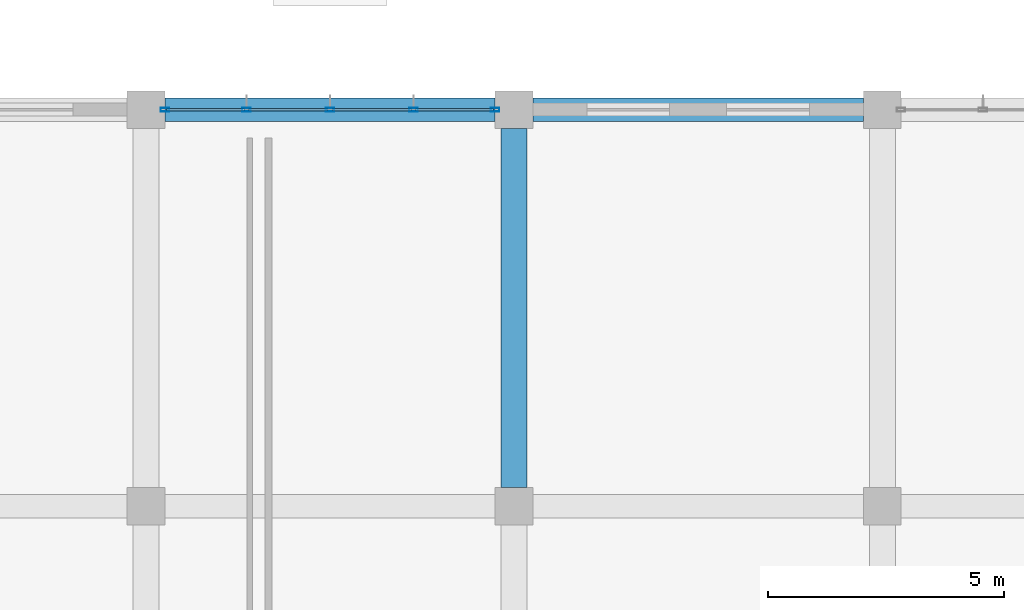
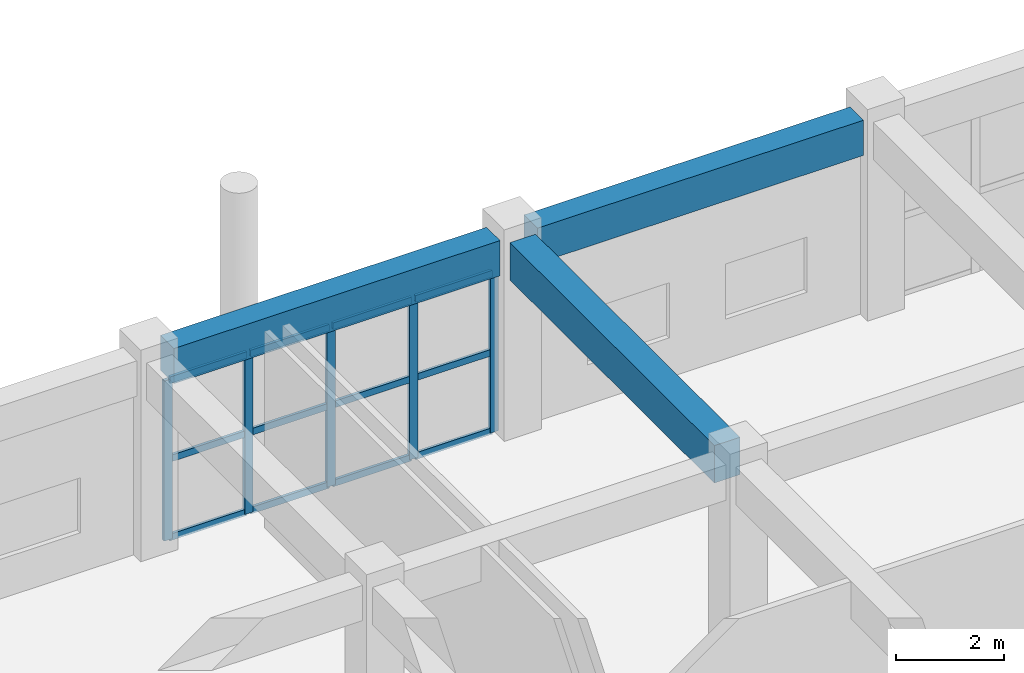
# One storey, part 96 of 139: 17 members, 3 beams, 1 element without a shape of its own.
"""IFC4 building model written with IfcOpenShell, lengths in metres."""

import ifcopenshell
import ifcopenshell.guid

model = None  # the IFC model being written
_history = None  # IfcOwnerHistory: only IFC2X3 demands one
_inside = {}  # id of a spatial element -> (the spatial element, [elements in it])
_under = {}  # id of a project, library or spatial element -> (it, [spatial elements below it])
_declared = {}  # id of a project -> (the project, [libraries it declares])
_typed = {}  # id of a type object -> (the type object, [elements of that type])
_made_of = {}  # id of a material, layer set ... -> (it, [elements and type objects made of it])


def new_model(schema):
    """Start an empty IFC model of exactly this schema.

    Asked for "IFC4X3", IfcOpenShell would pick the latest addendum, in which some entities
    have other attributes; the version numbers below select the first issue.
    IFC2X3 requires an IfcOwnerHistory on every rooted entity: one is made here for all.
    """
    global model, _history
    if schema == "IFC4X3":
        model = ifcopenshell.file(schema_version=(4, 3, 0, 0))
    else:
        model = ifcopenshell.file(schema=schema)
    _inside.clear()
    _under.clear()
    _declared.clear()
    _typed.clear()
    _made_of.clear()
    _history = None
    if model.schema == "IFC2X3":
        org = make("IfcOrganization", Name="unknown")
        user = make(
            "IfcPersonAndOrganization",
            ThePerson=make("IfcPerson", FamilyName="unknown"),
            TheOrganization=org,
        )
        app = make(
            "IfcApplication",
            ApplicationDeveloper=org,
            Version="unknown",
            ApplicationFullName="unknown",
            ApplicationIdentifier="unknown",
        )
        _history = make(
            "IfcOwnerHistory",
            OwningUser=user,
            OwningApplication=app,
            ChangeAction="ADDED",
            CreationDate=0,
        )
    return model


def make(cls, **values):
    """One entity of the class cls with the attributes given. An attribute that is None is left unset."""
    return model.create_entity(
        cls, **{name: value for name, value in values.items() if value is not None}
    )


def rooted(cls, **values):
    """An entity with a GlobalId (a new one), such as an element, a storey or a relation."""
    return make(cls, GlobalId=ifcopenshell.guid.new(), OwnerHistory=_history, **values)


def si_unit(unit_type, name, prefix=None):
    """IfcSIUnit, for example si_unit("LENGTHUNIT", "METRE", prefix="MILLI")."""
    return make("IfcSIUnit", UnitType=unit_type, Prefix=prefix, Name=name)


def assignment(units):
    """IfcUnitAssignment: the units of a project."""
    return None if units is None else make("IfcUnitAssignment", Units=units)


def point(xyz):
    """IfcCartesianPoint."""
    return None if xyz is None else make("IfcCartesianPoint", Coordinates=xyz)


def direction(xyz):
    """IfcDirection."""
    return None if xyz is None else make("IfcDirection", DirectionRatios=xyz)


def frame(location, z_axis=None, x_axis=None):
    """IfcAxis2Placement3D, a coordinate frame: its origin and axes. An axis left out is left unset."""
    return make(
        "IfcAxis2Placement3D",
        Location=point(location),
        Axis=direction(z_axis),
        RefDirection=direction(x_axis),
    )


def frame_2d(location, x_axis=None):
    """IfcAxis2Placement2D, a coordinate frame in the plane: its origin and x axis."""
    return make(
        "IfcAxis2Placement2D", Location=point(location), RefDirection=direction(x_axis)
    )


def origin():
    """The frame at (0, 0, 0) with its axes left unset."""
    return frame((0.0, 0.0, 0.0))


def origin_2d():
    """The frame at (0, 0) in the plane with its x axis left unset."""
    return frame_2d((0.0, 0.0))


def place(relative_to, where):
    """IfcLocalPlacement: puts the frame where relative to a parent placement (None: the world)."""
    return make(
        "IfcLocalPlacement", PlacementRelTo=relative_to, RelativePlacement=where
    )


def context(
    kind, dimensions, precision=None, world=None, true_north=None, identifier=None
):
    """IfcGeometricRepresentationContext, for example the 3D "Model" context."""
    return make(
        "IfcGeometricRepresentationContext",
        ContextIdentifier=identifier,
        ContextType=kind,
        CoordinateSpaceDimension=dimensions,
        Precision=precision,
        WorldCoordinateSystem=world,
        TrueNorth=true_north,
    )


def subcontext(parent, identifier, kind, view, scale=None):
    """IfcGeometricRepresentationSubContext, for example "Body" below "Model"."""
    return make(
        "IfcGeometricRepresentationSubContext",
        ContextIdentifier=identifier,
        ContextType=kind,
        ParentContext=parent,
        TargetScale=scale,
        TargetView=view,
    )


def project(units=None, contexts=None):
    """IfcProject with its units and contexts."""
    return rooted(
        "IfcProject",
        Name="project",
        RepresentationContexts=contexts,
        UnitsInContext=assignment(units),
    )


def spatial(cls, under=None, at=None, **own):
    """A site, building, storey or space (cls), placed at a placement, below another one or the project."""
    s = rooted(cls, ObjectPlacement=at, **own)
    if under is not None:
        _under.setdefault(under.id(), (under, []))[1].append(s)
    return s


def profile(cls, at=None, kind="AREA", **sizes):
    """A parametric profile (cls). Its sizes go by their IFC names, for example OverallWidth=200.0."""
    return make(cls, ProfileType=kind, Position=at, **sizes)


def rectangle(**sizes):
    """IfcRectangleProfileDef."""
    return profile("IfcRectangleProfileDef", **sizes)


def hollow_rectangle(**sizes):
    """IfcRectangleHollowProfileDef."""
    return profile("IfcRectangleHollowProfileDef", **sizes)


def extrude(swept, where, along, depth):
    """IfcExtrudedAreaSolid: the profile swept, set in the frame where, extruded along a direction by depth."""
    return make(
        "IfcExtrudedAreaSolid",
        SweptArea=swept,
        Position=where,
        ExtrudedDirection=direction(along),
        Depth=depth,
    )


def shape(context_of_items, identifier, shape_type, items):
    """IfcShapeRepresentation: the items that make up one representation, for example the "Body"."""
    return make(
        "IfcShapeRepresentation",
        ContextOfItems=context_of_items,
        RepresentationIdentifier=identifier,
        RepresentationType=shape_type,
        Items=items,
    )


def material(Name=None, Category=None):
    """IfcMaterial."""
    return make("IfcMaterial", Name=Name, Category=Category)


def layer(
    of_material, thickness, ventilated=None, Name=None, Category=None, Priority=None
):
    """IfcMaterialLayer: one layer of a wall or slab, of a material (None: an air gap)."""
    return make(
        "IfcMaterialLayer",
        Material=of_material,
        LayerThickness=thickness,
        IsVentilated=ventilated,
        Name=Name,
        Category=Category,
        Priority=Priority,
    )


def layer_set(layers, Name=None):
    """IfcMaterialLayerSet."""
    return make("IfcMaterialLayerSet", MaterialLayers=layers, LayerSetName=Name)


def material_profile(
    of_material, cross_section, Name=None, Category=None, Priority=None
):
    """IfcMaterialProfile: a cross section and its material."""
    return make(
        "IfcMaterialProfile",
        Name=Name,
        Material=of_material,
        Profile=cross_section,
        Priority=Priority,
        Category=Category,
    )


def profile_set(profiles, Name=None, composite=None):
    """IfcMaterialProfileSet."""
    return make(
        "IfcMaterialProfileSet",
        Name=Name,
        MaterialProfiles=profiles,
        CompositeProfile=composite,
    )


def made_of(thing, what):
    """Note that an element or type object is made of a material, layer set ...; save() writes the relation."""
    if what is not None:
        _made_of.setdefault(what.id(), (what, []))[1].append(thing)
    return thing


def type_object(cls, material=None, **own):
    """A type object (cls), such as IfcWallType, which elements share."""
    return made_of(rooted(cls, **own), material)


def element(
    cls,
    number,
    at=None,
    inside=None,
    cuts=None,
    type_object=None,
    material=None,
    context=None,
    identifier="Body",
    shape_type=None,
    held_by="IfcProductDefinitionShape",
    body=None,
    shapes=None,
    **own,
):
    """One element of the class cls, such as IfcWall. Its Tag is "e" and its number.

    at: its placement. inside: the storey or other place that contains it. cuts: it is an
    opening in that element (IfcRelVoidsElement). A single representation is given by context,
    identifier, shape_type and body (its items); several are given by shapes. held_by: the class
    of the entity that holds the representations. save() writes the other relations.
    """
    e = rooted(cls, Tag="e%d" % number, ObjectPlacement=at, **own)
    if body is not None:
        shapes = [shape(context, identifier, shape_type, body)]
    if shapes is not None:
        e.Representation = make(held_by, Representations=shapes)
    if inside is not None:
        _inside.setdefault(inside.id(), (inside, []))[1].append(e)
    if cuts is not None:
        rooted(
            "IfcRelVoidsElement", RelatingBuildingElement=cuts, RelatedOpeningElement=e
        )
    if type_object is not None:
        _typed.setdefault(type_object.id(), (type_object, []))[1].append(e)
    return made_of(e, material)


def aggregate(whole, parts):
    """IfcRelAggregates: a whole, such as a stair, and the parts it consists of."""
    return rooted("IfcRelAggregates", RelatingObject=whole, RelatedObjects=parts)


def save(model, path):
    """Write the relations noted so far, then the file.

    IfcRelAggregates (storeys below a building ...), IfcRelContainedInSpatialStructure (elements
    in a storey), IfcRelDefinesByType, IfcRelAssociatesMaterial and IfcRelDeclares: one each for
    every whole, place, type object, material and project.
    """
    for whole, parts in _under.values():
        aggregate(whole, parts)
    for where, things in _inside.values():
        rooted(
            "IfcRelContainedInSpatialStructure",
            RelatedElements=things,
            RelatingStructure=where,
        )
    for kind, things in _typed.values():
        rooted("IfcRelDefinesByType", RelatedObjects=things, RelatingType=kind)
    for what, things in _made_of.values():
        rooted("IfcRelAssociatesMaterial", RelatedObjects=things, RelatingMaterial=what)
    for by, libraries in _declared.values():
        rooted("IfcRelDeclares", RelatingContext=by, RelatedDefinitions=libraries)
    model.write(path)


model = new_model("IFC4")

# Units and contexts
model_context = context("Model", 3, precision=1e-05, world=origin(), true_north=direction((0.0, 1.0)))
body_context = subcontext(model_context, "Body", "Model", "MODEL_VIEW")
ifc_project = project(units=[si_unit("LENGTHUNIT", "METRE"), si_unit("AREAUNIT", "SQUARE_METRE"), si_unit("VOLUMEUNIT", "CUBIC_METRE"), si_unit("PLANEANGLEUNIT", "RADIAN"), si_unit("MASSUNIT", "GRAM", prefix="KILO")], contexts=[model_context])

# Site, building, storey
site_placement = place(None, origin())
site = spatial("IfcSite", under=ifc_project, at=site_placement, CompositionType="ELEMENT")
building_placement = place(site_placement, origin())
building = spatial("IfcBuilding", under=site, at=building_placement, Name="Zizhar Promenade General Hospital", CompositionType="ELEMENT")
storey_placement = place(building_placement, origin())
storey = spatial("IfcBuildingStorey", under=building, at=storey_placement, Name="L00", CompositionType="ELEMENT", Elevation=0.0)

# Beams
ifc_material_1 = material(Name="Concrete C35/45", Category="concrete")
ifc_material_profile_1 = material_profile(ifc_material_1, rectangle(XDim=0.5, YDim=0.800048828125, at=origin_2d()))
ifc_profile_set_1 = profile_set([ifc_material_profile_1], Name="Concrete C35/45")
beam_type_1 = type_object("IfcBeamType", Name="BM-RC-500x800", PredefinedType="BEAM", material=ifc_profile_set_1)
for number, where, z_axis, x_axis, name in (
    (1, (86.199951171875, 134.39990234375, 4.070068359375), (1.0, 0.0, 0.0), (0.0, 1.0, 0.0), "Grid Beam X L00 (11-16)"),
    (2, (94.0, 134.39990234375, 4.070068359375), (1.0, 0.0, 0.0), (0.0, 1.0, 0.0), "Grid Beam X L00 (12-16)"),
):
    element("IfcBeam", number, at=place(storey_placement, frame(where, z_axis=z_axis, x_axis=x_axis)), inside=storey, type_object=beam_type_1, Name=name, PredefinedType="BEAM", context=body_context, shape_type="SweptSolid", body=[
        extrude(rectangle(XDim=0.5, YDim=0.800048828125, at=origin_2d()), origin(), (0.0, 0.0, 1.0), 7.0),
    ])
ifc_material_2 = material(Name="Concrete C35/45", Category="concrete")
ifc_material_profile_2 = material_profile(ifc_material_2, rectangle(XDim=0.550048828125, YDim=0.85009765625, at=origin_2d()))
ifc_profile_set_2 = profile_set([ifc_material_profile_2], Name="Concrete C35/45")
beam_type_2 = type_object("IfcBeamType", Name="BM-RC-550x850", PredefinedType="BEAM", material=ifc_profile_set_2)
beam_placement = place(storey_placement, frame((93.60009765625, 126.39990234375, 4.044921875), z_axis=(0.0, 1.0, 0.0), x_axis=(-1.0, 0.0, 0.0)))
element("IfcBeam", 3, at=beam_placement, inside=storey, type_object=beam_type_2, Name="Grid Beam Y L00 (12-15)", PredefinedType="BEAM", context=body_context, shape_type="SweptSolid", body=[
    extrude(rectangle(XDim=0.550048828125, YDim=0.85009765625, at=origin_2d()), origin(), (0.0, 0.0, 1.0), 7.60009765625),
])

# Curtain wall, members
ifc_material_3 = material(Name="Anodised aluminium 6063-T6 and low-E glass", Category="aluminium")
ifc_layer = layer(ifc_material_3, 0.159912109375)
ifc_layer_set = layer_set([ifc_layer], Name="Anodised aluminium 6063-T6 and low-E glass")
curtain_wall_type = type_object("IfcCurtainWallType", Name="CW-DT-MOD2", PredefinedType="NOTDEFINED", material=ifc_layer_set)
curtain_wall_placement = place(storey_placement, origin())
curtain_wall = element("IfcCurtainWall", 4, at=curtain_wall_placement, inside=storey, type_object=curtain_wall_type, Name="Surgical North Glazed Curtain Wall L00-11", PredefinedType="NOTDEFINED")
ifc_material_4 = material(Name="Anodised aluminium 6063-T6", Category="aluminium")
ifc_material_profile_3 = material_profile(ifc_material_4, hollow_rectangle(XDim=0.080078125, YDim=0.179931640625, WallThickness=0.0048828125, at=origin_2d()))
ifc_profile_set_3 = profile_set([ifc_material_profile_3], Name="Anodised aluminium 6063-T6")
member_type_1 = type_object("IfcMemberType", Name="CWM-ALU-180x80", PredefinedType="MULLION", material=ifc_profile_set_3)
member_1_placement = place(storey_placement, frame((86.199951171875, 134.39990234375, 0.0), z_axis=(0.0, 0.0, 1.0), x_axis=(0.0, 1.0, 0.0)))
member_1 = element("IfcMember", 5, at=member_1_placement, type_object=member_type_1, Name="CW-08 mullion 1", PredefinedType="MULLION", context=body_context, shape_type="SweptSolid", body=[
    extrude(hollow_rectangle(XDim=0.080078125, YDim=0.179931640625, WallThickness=0.0048828125, at=origin_2d()), origin(), (0.0, 0.0, 1.0), 3.6298828125),
])
member_2_placement = place(storey_placement, frame((87.929931640625, 134.39990234375, 0.0), z_axis=(0.0, 0.0, 1.0), x_axis=(0.0, 1.0, 0.0)))
member_2 = element("IfcMember", 6, at=member_2_placement, type_object=member_type_1, Name="CW-08 mullion 2", PredefinedType="MULLION", context=body_context, shape_type="SweptSolid", body=[
    extrude(hollow_rectangle(XDim=0.080078125, YDim=0.179931640625, WallThickness=0.0048828125, at=origin_2d()), origin(), (0.0, 0.0, 1.0), 3.6298828125),
])
member_3_placement = place(storey_placement, frame((89.699951171875, 134.39990234375, 0.0), z_axis=(0.0, 0.0, 1.0), x_axis=(0.0, 1.0, 0.0)))
member_3 = element("IfcMember", 7, at=member_3_placement, type_object=member_type_1, Name="CW-08 mullion 3", PredefinedType="MULLION", context=body_context, shape_type="SweptSolid", body=[
    extrude(hollow_rectangle(XDim=0.080078125, YDim=0.179931640625, WallThickness=0.0048828125, at=origin_2d()), origin(), (0.0, 0.0, 1.0), 3.6298828125),
])
member_4_placement = place(storey_placement, frame((91.469970703125, 134.39990234375, 0.0), z_axis=(0.0, 0.0, 1.0), x_axis=(0.0, 1.0, 0.0)))
member_4 = element("IfcMember", 8, at=member_4_placement, type_object=member_type_1, Name="CW-08 mullion 4", PredefinedType="MULLION", context=body_context, shape_type="SweptSolid", body=[
    extrude(hollow_rectangle(XDim=0.080078125, YDim=0.179931640625, WallThickness=0.0048828125, at=origin_2d()), origin(), (0.0, 0.0, 1.0), 3.6298828125),
])
member_5_placement = place(storey_placement, frame((93.199951171875, 134.39990234375, 0.0), z_axis=(0.0, 0.0, 1.0), x_axis=(0.0, 1.0, 0.0)))
member_5 = element("IfcMember", 9, at=member_5_placement, type_object=member_type_1, Name="CW-08 mullion 5", PredefinedType="MULLION", context=body_context, shape_type="SweptSolid", body=[
    extrude(hollow_rectangle(XDim=0.080078125, YDim=0.179931640625, WallThickness=0.0048828125, at=origin_2d()), origin(), (0.0, 0.0, 1.0), 3.6298828125),
])
ifc_material_5 = material(Name="Anodised aluminium 6063-T6", Category="aluminium")
ifc_material_profile_4 = material_profile(ifc_material_5, hollow_rectangle(XDim=0.06005859375, YDim=0.14990234375, WallThickness=0.00390625, at=origin_2d()))
ifc_profile_set_4 = profile_set([ifc_material_profile_4], Name="Anodised aluminium 6063-T6")
member_type_2 = type_object("IfcMemberType", Name="CWT-ALU-150x60", PredefinedType="USERDEFINED", material=ifc_profile_set_4)
member_6_placement = place(storey_placement, frame((86.239990234375, 134.39990234375, 0.030029296875), z_axis=(1.0, 0.0, 0.0), x_axis=(0.0, 1.0, 0.0)))
member_6 = element("IfcMember", 10, at=member_6_placement, type_object=member_type_2, Name="CW-08 transom 1.1", ObjectType="TRANSOM", PredefinedType="USERDEFINED", context=body_context, shape_type="SweptSolid", body=[
    extrude(hollow_rectangle(XDim=0.06005859375, YDim=0.14990234375, WallThickness=0.00390625, at=origin_2d()), origin(), (0.0, 0.0, 1.0), 1.64990234375),
])
member_7_placement = place(storey_placement, frame((86.239990234375, 134.39990234375, 1.81494140625), z_axis=(1.0, 0.0, 0.0), x_axis=(0.0, 1.0, 0.0)))
member_7 = element("IfcMember", 11, at=member_7_placement, type_object=member_type_2, Name="CW-08 transom 1.2", ObjectType="TRANSOM", PredefinedType="USERDEFINED", context=body_context, shape_type="SweptSolid", body=[
    extrude(hollow_rectangle(XDim=0.06005859375, YDim=0.14990234375, WallThickness=0.00390625, at=origin_2d()), origin(), (0.0, 0.0, 1.0), 1.64990234375),
])
member_8_placement = place(storey_placement, frame((86.239990234375, 134.39990234375, 3.60009765625), z_axis=(1.0, 0.0, 0.0), x_axis=(0.0, 1.0, 0.0)))
member_8 = element("IfcMember", 12, at=member_8_placement, type_object=member_type_2, Name="CW-08 transom 1.3", ObjectType="TRANSOM", PredefinedType="USERDEFINED", context=body_context, shape_type="SweptSolid", body=[
    extrude(hollow_rectangle(XDim=0.06005859375, YDim=0.14990234375, WallThickness=0.00390625, at=origin_2d()), origin(), (0.0, 0.0, 1.0), 1.64990234375),
])
member_9_placement = place(storey_placement, frame((87.969970703125, 134.39990234375, 0.030029296875), z_axis=(1.0, 0.0, 0.0), x_axis=(0.0, 1.0, 0.0)))
member_9 = element("IfcMember", 13, at=member_9_placement, type_object=member_type_2, Name="CW-08 transom 2.1", ObjectType="TRANSOM", PredefinedType="USERDEFINED", context=body_context, shape_type="SweptSolid", body=[
    extrude(hollow_rectangle(XDim=0.06005859375, YDim=0.14990234375, WallThickness=0.00390625, at=origin_2d()), origin(), (0.0, 0.0, 1.0), 1.68994140625),
])
member_10_placement = place(storey_placement, frame((87.969970703125, 134.39990234375, 1.81494140625), z_axis=(1.0, 0.0, 0.0), x_axis=(0.0, 1.0, 0.0)))
member_10 = element("IfcMember", 14, at=member_10_placement, type_object=member_type_2, Name="CW-08 transom 2.2", ObjectType="TRANSOM", PredefinedType="USERDEFINED", context=body_context, shape_type="SweptSolid", body=[
    extrude(hollow_rectangle(XDim=0.06005859375, YDim=0.14990234375, WallThickness=0.00390625, at=origin_2d()), origin(), (0.0, 0.0, 1.0), 1.68994140625),
])
member_11_placement = place(storey_placement, frame((87.969970703125, 134.39990234375, 3.60009765625), z_axis=(1.0, 0.0, 0.0), x_axis=(0.0, 1.0, 0.0)))
member_11 = element("IfcMember", 15, at=member_11_placement, type_object=member_type_2, Name="CW-08 transom 2.3", ObjectType="TRANSOM", PredefinedType="USERDEFINED", context=body_context, shape_type="SweptSolid", body=[
    extrude(hollow_rectangle(XDim=0.06005859375, YDim=0.14990234375, WallThickness=0.00390625, at=origin_2d()), origin(), (0.0, 0.0, 1.0), 1.68994140625),
])
member_12_placement = place(storey_placement, frame((89.739990234375, 134.39990234375, 0.030029296875), z_axis=(1.0, 0.0, 0.0), x_axis=(0.0, 1.0, 0.0)))
member_12 = element("IfcMember", 16, at=member_12_placement, type_object=member_type_2, Name="CW-08 transom 3.1", ObjectType="TRANSOM", PredefinedType="USERDEFINED", context=body_context, shape_type="SweptSolid", body=[
    extrude(hollow_rectangle(XDim=0.06005859375, YDim=0.14990234375, WallThickness=0.00390625, at=origin_2d()), origin(), (0.0, 0.0, 1.0), 1.68994140625),
])
member_13_placement = place(storey_placement, frame((89.739990234375, 134.39990234375, 1.81494140625), z_axis=(1.0, 0.0, 0.0), x_axis=(0.0, 1.0, 0.0)))
member_13 = element("IfcMember", 17, at=member_13_placement, type_object=member_type_2, Name="CW-08 transom 3.2", ObjectType="TRANSOM", PredefinedType="USERDEFINED", context=body_context, shape_type="SweptSolid", body=[
    extrude(hollow_rectangle(XDim=0.06005859375, YDim=0.14990234375, WallThickness=0.00390625, at=origin_2d()), origin(), (0.0, 0.0, 1.0), 1.68994140625),
])
member_14_placement = place(storey_placement, frame((89.739990234375, 134.39990234375, 3.60009765625), z_axis=(1.0, 0.0, 0.0), x_axis=(0.0, 1.0, 0.0)))
member_14 = element("IfcMember", 18, at=member_14_placement, type_object=member_type_2, Name="CW-08 transom 3.3", ObjectType="TRANSOM", PredefinedType="USERDEFINED", context=body_context, shape_type="SweptSolid", body=[
    extrude(hollow_rectangle(XDim=0.06005859375, YDim=0.14990234375, WallThickness=0.00390625, at=origin_2d()), origin(), (0.0, 0.0, 1.0), 1.68994140625),
])
member_15_placement = place(storey_placement, frame((91.510009765625, 134.39990234375, 0.030029296875), z_axis=(1.0, 0.0, 0.0), x_axis=(0.0, 1.0, 0.0)))
member_15 = element("IfcMember", 19, at=member_15_placement, type_object=member_type_2, Name="CW-08 transom 4.1", ObjectType="TRANSOM", PredefinedType="USERDEFINED", context=body_context, shape_type="SweptSolid", body=[
    extrude(hollow_rectangle(XDim=0.06005859375, YDim=0.14990234375, WallThickness=0.00390625, at=origin_2d()), origin(), (0.0, 0.0, 1.0), 1.64990234375),
])
member_16_placement = place(storey_placement, frame((91.510009765625, 134.39990234375, 1.81494140625), z_axis=(1.0, 0.0, 0.0), x_axis=(0.0, 1.0, 0.0)))
member_16 = element("IfcMember", 20, at=member_16_placement, type_object=member_type_2, Name="CW-08 transom 4.2", ObjectType="TRANSOM", PredefinedType="USERDEFINED", context=body_context, shape_type="SweptSolid", body=[
    extrude(hollow_rectangle(XDim=0.06005859375, YDim=0.14990234375, WallThickness=0.00390625, at=origin_2d()), origin(), (0.0, 0.0, 1.0), 1.64990234375),
])
member_17_placement = place(storey_placement, frame((91.510009765625, 134.39990234375, 3.60009765625), z_axis=(1.0, 0.0, 0.0), x_axis=(0.0, 1.0, 0.0)))
member_17 = element("IfcMember", 21, at=member_17_placement, type_object=member_type_2, Name="CW-08 transom 4.3", ObjectType="TRANSOM", PredefinedType="USERDEFINED", context=body_context, shape_type="SweptSolid", body=[
    extrude(hollow_rectangle(XDim=0.06005859375, YDim=0.14990234375, WallThickness=0.00390625, at=origin_2d()), origin(), (0.0, 0.0, 1.0), 1.64990234375),
])
aggregate(curtain_wall, [member_1, member_2, member_3, member_4, member_5, member_6, member_7, member_8, member_9, member_10, member_11, member_12, member_13, member_14, member_15, member_16, member_17])

save(model, "model.ifc")
